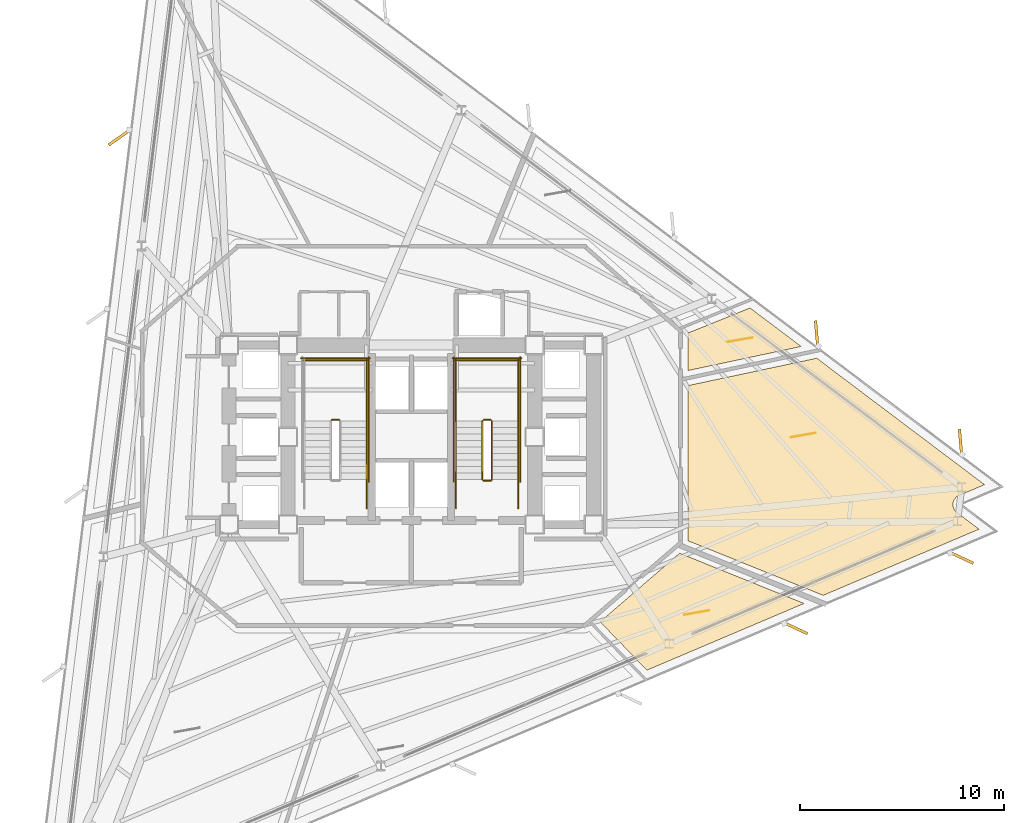
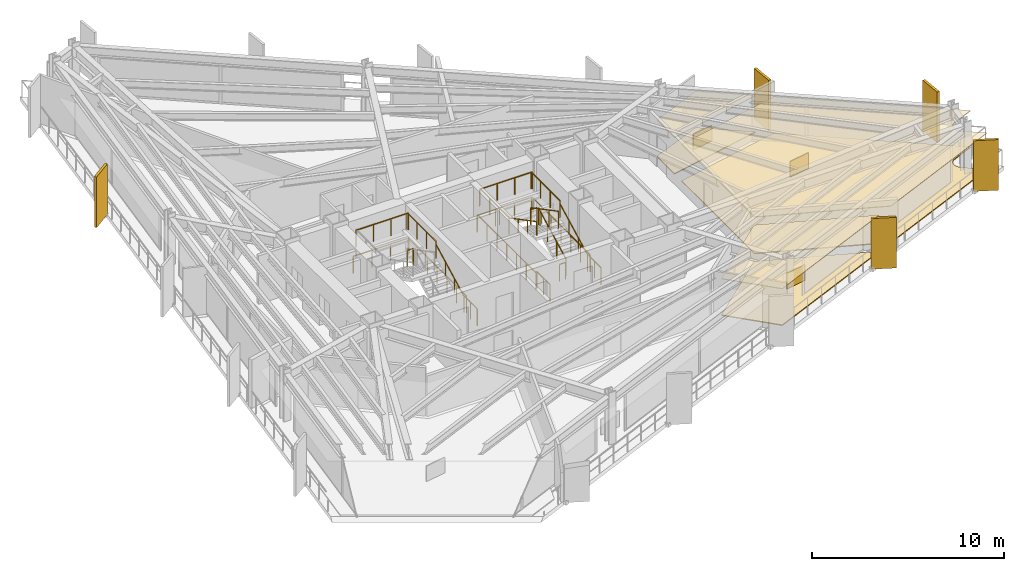
# One storey, part 12 of 13: 21 railings, 9 coverings, 5 shading devices.
"""IFC4 building model written with IfcOpenShell, lengths in metres."""

from ifc_helpers import new_model, si_unit, direction, frame, origin, origin_2d, place, context, subcontext, project, spatial, polyline, rectangle, outline, extrude, material, layer, layer_set, type_object, element, save


model = new_model("IFC4")

# Units and contexts
model_context = context("Model", 3, precision=1e-05, world=origin(), true_north=direction((0.0, 1.0)))
body_context = subcontext(model_context, "Body", "Model", "MODEL_VIEW")
ifc_project = project(units=[si_unit("LENGTHUNIT", "METRE"), si_unit("AREAUNIT", "SQUARE_METRE"), si_unit("VOLUMEUNIT", "CUBIC_METRE"), si_unit("PLANEANGLEUNIT", "RADIAN"), si_unit("MASSUNIT", "GRAM", prefix="KILO")], contexts=[model_context])

# Site, building, storey
site_placement = place(None, origin())
site = spatial("IfcSite", under=ifc_project, at=site_placement, CompositionType="ELEMENT")
building_placement = place(site_placement, origin())
building = spatial("IfcBuilding", under=site, at=building_placement, Name="Rocaltana Carrier Exchange", CompositionType="ELEMENT")
storey_placement = place(building_placement, frame((0.0, 0.0, 56.320068359375)))
storey = spatial("IfcBuildingStorey", under=building, at=storey_placement, Name="L17", CompositionType="ELEMENT", Elevation=56.320068359375)

# Coverings
ifc_material_1 = material(Name="Calcium Sulphate & Aluminium Pedestal", Category="aluminium")
ifc_layer_1 = layer(ifc_material_1, 0.06005859375)
ifc_layer_set_1 = layer_set([ifc_layer_1], Name="Calcium Sulphate & Aluminium Pedestal")
covering_type_1 = type_object("IfcCoveringType", Name="Anti-Static Raised Exchange Access Floor 60", PredefinedType="FLOORING", material=ifc_layer_set_1)
covering_1_placement = place(storey_placement, origin())
element("IfcCovering", 1, at=covering_1_placement, inside=storey, type_object=covering_type_1, Name="L17 Network Engineering Studio Finish Floor", PredefinedType="FLOORING", context=body_context, shape_type="SweptSolid", body=[
    extrude(outline(polyline([(11.553955078125, -11.4462890625), (9.259765625, -9.070556640625), (13.16357421875, -5.706787109375), (19.266357421875, -8.17236328125), (11.553955078125, -11.4462890625)])), origin(), (0.0, 0.0, 1.0), 0.059814453125),
])
covering_2_placement = place(storey_placement, origin())
element("IfcCovering", 2, at=covering_2_placement, inside=storey, type_object=covering_type_1, Name="L17 Peering Conference Room Finish Floor", PredefinedType="FLOORING", context=body_context, shape_type="SweptSolid", body=[
    extrude(outline(polyline([(13.56005859375, -5.09033203125), (13.56005859375, 2.51416015625), (19.8876953125, 3.859130859375), (28.1201171875, -2.344482421875), (26.860107421875, -2.87939453125), (26.847412109375, -2.885009765625), (26.82958984375, -2.893798828125), (26.80517578125, -2.906982421875), (26.7880859375, -2.91748046875), (26.76513671875, -2.933349609375), (26.749267578125, -2.9453125), (26.727783203125, -2.96337890625), (26.71337890625, -2.97705078125), (26.69384765625, -2.9970703125), (26.6806640625, -3.01220703125), (26.663330078125, -3.033935546875), (26.65185546875, -3.050048828125), (26.63671875, -3.073486328125), (26.626708984375, -3.0908203125), (26.614013671875, -3.11572265625), (26.60595703125, -3.134033203125), (26.595703125, -3.159912109375), (26.589599609375, -3.178955078125), (26.58203125, -3.205810546875), (26.57763671875, -3.225341796875), (26.57275390625, -3.252685546875), (26.5703125, -3.2724609375), (26.568359375, -3.30029296875), (26.56787109375, -3.3203125), (26.568603515625, -3.34814453125), (26.5703125, -3.3681640625), (26.57373046875, -3.395751953125), (26.577392578125, -3.415283203125), (26.58349609375, -3.442626953125), (26.589111328125, -3.4619140625), (26.597900390625, -3.48828125), (26.605224609375, -3.5068359375), (26.616943359375, -3.5322265625), (26.6259765625, -3.5498046875), (26.639892578125, -3.573974609375), (26.65087890625, -3.5908203125), (26.667236328125, -3.61328125), (26.6796875, -3.62890625), (26.6982421875, -3.64990234375), (26.712158203125, -3.6640625), (26.732666015625, -3.68310546875), (26.748046875, -3.69580078125), (26.7587890625, -3.70458984375), (27.851806640625, -4.528076171875), (20.20361328125, -7.7744140625), (13.56005859375, -5.09033203125)])), origin(), (0.0, 0.0, 1.0), 0.059814453125),
])
covering_3_placement = place(storey_placement, origin())
element("IfcCovering", 3, at=covering_3_placement, inside=storey, type_object=covering_type_1, Name="L17 Protocol Calibration Laboratory Finish Floor", PredefinedType="FLOORING", context=body_context, shape_type="SweptSolid", body=[
    extrude(outline(polyline([(13.56005859375, 5.09033203125), (16.615478515625, 6.32470703125), (19.125732421875, 4.433349609375), (13.56005859375, 3.250244140625), (13.56005859375, 5.09033203125)])), origin(), (0.0, 0.0, 1.0), 0.059814453125),
])
ifc_material_2 = material(Name="Mineral Fibre & Powder-Coated Aluminium", Category="aluminium")
ifc_layer_2 = layer(ifc_material_2, 0.044921875)
ifc_layer_set_2 = layer_set([ifc_layer_2], Name="Mineral Fibre & Powder-Coated Aluminium")
covering_type_2 = type_object("IfcCoveringType", Name="Micro-Perforated Acoustic Ceiling 45", PredefinedType="CEILING", material=ifc_layer_set_2)
covering_4_placement = place(storey_placement, frame((0.0, 0.0, 2.322998046875)))
element("IfcCovering", 4, at=covering_4_placement, inside=storey, type_object=covering_type_2, Name="L17 Network Engineering Studio Acoustic Ceiling", PredefinedType="CEILING", context=body_context, shape_type="SweptSolid", body=[
    extrude(outline(polyline([(11.553955078125, -11.4462890625), (9.259765625, -9.070556640625), (13.16357421875, -5.706787109375), (19.266357421875, -8.17236328125), (11.553955078125, -11.4462890625)])), origin(), (0.0, 0.0, 1.0), 0.044921875),
])
covering_5_placement = place(storey_placement, frame((0.0, 0.0, 2.322998046875)))
element("IfcCovering", 5, at=covering_5_placement, inside=storey, type_object=covering_type_2, Name="L17 Peering Conference Room Acoustic Ceiling", PredefinedType="CEILING", context=body_context, shape_type="SweptSolid", body=[
    extrude(outline(polyline([(13.56005859375, -5.09033203125), (13.56005859375, 2.51416015625), (19.8876953125, 3.859130859375), (28.1201171875, -2.344482421875), (26.860107421875, -2.87939453125), (26.847412109375, -2.885009765625), (26.82958984375, -2.893798828125), (26.80517578125, -2.906982421875), (26.7880859375, -2.91748046875), (26.76513671875, -2.933349609375), (26.749267578125, -2.9453125), (26.727783203125, -2.96337890625), (26.71337890625, -2.97705078125), (26.69384765625, -2.9970703125), (26.6806640625, -3.01220703125), (26.663330078125, -3.033935546875), (26.65185546875, -3.050048828125), (26.63671875, -3.073486328125), (26.626708984375, -3.0908203125), (26.614013671875, -3.11572265625), (26.60595703125, -3.134033203125), (26.595703125, -3.159912109375), (26.589599609375, -3.178955078125), (26.58203125, -3.205810546875), (26.57763671875, -3.225341796875), (26.57275390625, -3.252685546875), (26.5703125, -3.2724609375), (26.568359375, -3.30029296875), (26.56787109375, -3.3203125), (26.568603515625, -3.34814453125), (26.5703125, -3.3681640625), (26.57373046875, -3.395751953125), (26.577392578125, -3.415283203125), (26.58349609375, -3.442626953125), (26.589111328125, -3.4619140625), (26.597900390625, -3.48828125), (26.605224609375, -3.5068359375), (26.616943359375, -3.5322265625), (26.6259765625, -3.5498046875), (26.639892578125, -3.573974609375), (26.65087890625, -3.5908203125), (26.667236328125, -3.61328125), (26.6796875, -3.62890625), (26.6982421875, -3.64990234375), (26.712158203125, -3.6640625), (26.732666015625, -3.68310546875), (26.748046875, -3.69580078125), (26.7587890625, -3.70458984375), (27.851806640625, -4.528076171875), (20.20361328125, -7.7744140625), (13.56005859375, -5.09033203125)])), origin(), (0.0, 0.0, 1.0), 0.044921875),
])
covering_6_placement = place(storey_placement, frame((0.0, 0.0, 2.322998046875)))
element("IfcCovering", 6, at=covering_6_placement, inside=storey, type_object=covering_type_2, Name="L17 Protocol Calibration Laboratory Acoustic Ceiling", PredefinedType="CEILING", context=body_context, shape_type="SweptSolid", body=[
    extrude(outline(polyline([(13.56005859375, 5.09033203125), (16.615478515625, 6.32470703125), (19.125732421875, 4.433349609375), (13.56005859375, 3.250244140625), (13.56005859375, 5.09033203125)])), origin(), (0.0, 0.0, 1.0), 0.044921875),
])

# Railings
ifc_material_3 = material(Name="Brushed Architectural Stainless Tube", Category="steel")
ifc_layer_3 = layer(ifc_material_3, 0.048095703125)
ifc_layer_set_3 = layer_set([ifc_layer_3], Name="Brushed Architectural Stainless Tube")
railing_type_1 = type_object("IfcRailingType", Name="Stair Wall Handrail 920", PredefinedType="HANDRAIL", material=ifc_layer_set_3)
for number, where, name in (
    (7, (-2.18994140625, -2.10009765625, 0.16796875), "L17 ST-1 stair handrail 1"),
    (8, (5.25, -2.10009765625, 0.16796875), "L17 ST-2 stair handrail 1"),
):
    element("IfcRailing", number, at=place(storey_placement, frame(where)), inside=storey, type_object=railing_type_1, Name=name, PredefinedType="HANDRAIL", context=body_context, shape_type="SweptSolid", body=[
        extrude(rectangle(XDim=0.048095703125, YDim=0.048095703125, at=origin_2d()), frame((0.0, 0.0, 0.8759765625), z_axis=(0.0, 0.885411030485, 0.464808893091), x_axis=(-1.0, 0.0, 0.0)), (0.0, 0.0, 1.0), 3.2529296875),
        extrude(rectangle(XDim=0.0419921875, YDim=0.0419921875, at=origin_2d()), origin(), (0.0, 0.0, 1.0), 0.851806640625),
        extrude(rectangle(XDim=0.0419921875, YDim=0.0419921875, at=origin_2d()), frame((0.0, 0.9599609375, 0.50390625)), (0.0, 0.0, 1.0), 0.851806640625),
        extrude(rectangle(XDim=0.0419921875, YDim=0.0419921875, at=origin_2d()), frame((0.0, 1.920166015625, 1.008056640625)), (0.0, 0.0, 1.0), 0.851806640625),
        extrude(rectangle(XDim=0.0419921875, YDim=0.0419921875, at=origin_2d()), frame((0.0, 2.880126953125, 1.511962890625)), (0.0, 0.0, 1.0), 0.851806640625),
    ])
railing_1_placement = place(storey_placement, frame((2.18994140625, 0.780029296875, 1.847900390625)))
element("IfcRailing", 9, at=railing_1_placement, inside=storey, type_object=railing_type_1, Name="L17 ST-2 stair handrail 2", PredefinedType="HANDRAIL", context=body_context, shape_type="SweptSolid", body=[
    extrude(rectangle(XDim=0.048095703125, YDim=0.048095703125, at=origin_2d()), frame((0.0, 0.0, 0.8759765625), z_axis=(0.0, -0.885411030485, 0.464808893091), x_axis=(1.0, 0.0, 0.0)), (0.0, 0.0, 1.0), 3.2529296875),
    extrude(rectangle(XDim=0.0419921875, YDim=0.0419921875, at=origin_2d()), origin(), (0.0, 0.0, 1.0), 0.851806640625),
    extrude(rectangle(XDim=0.0419921875, YDim=0.0419921875, at=origin_2d()), frame((0.0, -0.9599609375, 0.50390625)), (0.0, 0.0, 1.0), 0.851806640625),
    extrude(rectangle(XDim=0.0419921875, YDim=0.0419921875, at=origin_2d()), frame((0.0, -1.920166015625, 1.008056640625)), (0.0, 0.0, 1.0), 0.851806640625),
    extrude(rectangle(XDim=0.0419921875, YDim=0.0419921875, at=origin_2d()), frame((0.0, -2.880126953125, 1.511962890625)), (0.0, 0.0, 1.0), 0.851806640625),
])
ifc_material_4 = material(Name="Powder-Coated Aluminium 6063-T6", Category="aluminium")
ifc_layer_4 = layer(ifc_material_4, 0.048095703125)
ifc_layer_set_4 = layer_set([ifc_layer_4], Name="Powder-Coated Aluminium 6063-T6")
railing_type_2 = type_object("IfcRailingType", Name="Stair Well Guardrail 1100", PredefinedType="GUARDRAIL", material=ifc_layer_set_4)
railing_2_placement = place(storey_placement, frame((-3.5400390625, 0.830078125, 1.679931640625)))
element("IfcRailing", 10, at=railing_2_placement, inside=storey, type_object=railing_type_2, Name="L17 ST-1 stair guard 2", PredefinedType="GUARDRAIL", context=body_context, shape_type="SweptSolid", body=[
    extrude(rectangle(XDim=0.048095703125, YDim=0.048095703125, at=origin_2d()), frame((0.0, 0.0, 1.076171875), z_axis=(-1.0, 0.0, 0.0), x_axis=(0.0, -1.0, 0.0)), (0.0, 0.0, 1.0), 0.35986328125),
    extrude(rectangle(XDim=0.0419921875, YDim=0.0419921875, at=origin_2d()), origin(), (0.0, 0.0, 1.0), 1.052001953125),
    extrude(rectangle(XDim=0.0419921875, YDim=0.0419921875, at=origin_2d()), frame((-0.35986328125, 0.0, 0.0)), (0.0, 0.0, 1.0), 1.052001953125),
])
railing_3_placement = place(storey_placement, frame((-2.18994140625, 0.780029296875, 1.679931640625)))
element("IfcRailing", 11, at=railing_3_placement, inside=storey, type_object=railing_type_2, Name="L17 ST-1 stair guard 3", PredefinedType="GUARDRAIL", context=body_context, shape_type="SweptSolid", body=[
    extrude(rectangle(XDim=0.048095703125, YDim=0.048095703125, at=origin_2d()), frame((0.0, 0.0, 1.076171875), z_axis=(0.0, 1.0, 0.0), x_axis=(-1.0, 0.0, 0.0)), (0.0, 0.0, 1.0), 3.02001953125),
    extrude(rectangle(XDim=0.0419921875, YDim=0.0419921875, at=origin_2d()), origin(), (0.0, 0.0, 1.0), 1.052001953125),
    extrude(rectangle(XDim=0.0419921875, YDim=0.0419921875, at=origin_2d()), frame((0.0, 1.006591796875, 0.0)), (0.0, 0.0, 1.0), 1.052001953125),
    extrude(rectangle(XDim=0.0419921875, YDim=0.0419921875, at=origin_2d()), frame((0.0, 2.013427734375, 0.0)), (0.0, 0.0, 1.0), 1.052001953125),
    extrude(rectangle(XDim=0.0419921875, YDim=0.0419921875, at=origin_2d()), frame((0.0, 3.02001953125, 0.0)), (0.0, 0.0, 1.0), 1.052001953125),
])
railing_4_placement = place(storey_placement, frame((-2.139892578125, 3.75, 1.679931640625)))
element("IfcRailing", 12, at=railing_4_placement, inside=storey, type_object=railing_type_2, Name="L17 ST-1 stair guard 5", PredefinedType="GUARDRAIL", context=body_context, shape_type="SweptSolid", body=[
    extrude(rectangle(XDim=0.048095703125, YDim=0.048095703125, at=origin_2d()), frame((0.0, 0.0, 1.076171875), z_axis=(-1.0, 0.0, 0.0), x_axis=(0.0, -1.0, 0.0)), (0.0, 0.0, 1.0), 3.16015625),
    extrude(rectangle(XDim=0.0419921875, YDim=0.0419921875, at=origin_2d()), origin(), (0.0, 0.0, 1.0), 1.052001953125),
    extrude(rectangle(XDim=0.0419921875, YDim=0.0419921875, at=origin_2d()), frame((-1.053466796875, 0.0, 0.0)), (0.0, 0.0, 1.0), 1.052001953125),
    extrude(rectangle(XDim=0.0419921875, YDim=0.0419921875, at=origin_2d()), frame((-2.106689453125, 0.0, 0.0)), (0.0, 0.0, 1.0), 1.052001953125),
    extrude(rectangle(XDim=0.0419921875, YDim=0.0419921875, at=origin_2d()), frame((-3.16015625, 0.0, 0.0)), (0.0, 0.0, 1.0), 1.052001953125),
])
railing_5_placement = place(storey_placement, frame((-2.18994140625, -3.5, 0.0)))
element("IfcRailing", 13, at=railing_5_placement, inside=storey, type_object=railing_type_2, Name="L17 ST-1 stair guard 8", PredefinedType="GUARDRAIL", context=body_context, shape_type="SweptSolid", body=[
    extrude(rectangle(XDim=0.048095703125, YDim=0.048095703125, at=origin_2d()), frame((0.0, 0.0, 1.076171875), z_axis=(0.0, 1.0, 0.0), x_axis=(-1.0, 0.0, 0.0)), (0.0, 0.0, 1.0), 1.39990234375),
    extrude(rectangle(XDim=0.0419921875, YDim=0.0419921875, at=origin_2d()), origin(), (0.0, 0.0, 1.0), 1.052001953125),
    extrude(rectangle(XDim=0.0419921875, YDim=0.0419921875, at=origin_2d()), frame((0.0, 0.699951171875, 0.0)), (0.0, 0.0, 1.0), 1.052001953125),
    extrude(rectangle(XDim=0.0419921875, YDim=0.0419921875, at=origin_2d()), frame((0.0, 1.39990234375, 0.0)), (0.0, 0.0, 1.0), 1.052001953125),
])
railing_6_placement = place(storey_placement, frame((-2.090087890625, -2.199951171875, 0.0)))
element("IfcRailing", 14, at=railing_6_placement, inside=storey, type_object=railing_type_2, Name="L17 ST-1 stair guard 10", PredefinedType="GUARDRAIL", context=body_context, shape_type="SweptSolid", body=[
    extrude(rectangle(XDim=0.048095703125, YDim=0.048095703125, at=origin_2d()), frame((0.0, 0.0, 1.076171875), z_axis=(0.0, 1.0, 0.0), x_axis=(-1.0, 0.0, 0.0)), (0.0, 0.0, 1.0), 6.099853515625),
    extrude(rectangle(XDim=0.0419921875, YDim=0.0419921875, at=origin_2d()), origin(), (0.0, 0.0, 1.0), 1.052001953125),
    extrude(rectangle(XDim=0.0419921875, YDim=0.0419921875, at=origin_2d()), frame((0.0, 1.0166015625, 0.0)), (0.0, 0.0, 1.0), 1.052001953125),
    extrude(rectangle(XDim=0.0419921875, YDim=0.0419921875, at=origin_2d()), frame((0.0, 2.033203125, 0.0)), (0.0, 0.0, 1.0), 1.052001953125),
    extrude(rectangle(XDim=0.0419921875, YDim=0.0419921875, at=origin_2d()), frame((0.0, 3.0498046875, 0.0)), (0.0, 0.0, 1.0), 1.052001953125),
    extrude(rectangle(XDim=0.0419921875, YDim=0.0419921875, at=origin_2d()), frame((0.0, 4.066650390625, 0.0)), (0.0, 0.0, 1.0), 1.052001953125),
    extrude(rectangle(XDim=0.0419921875, YDim=0.0419921875, at=origin_2d()), frame((0.0, 5.083251953125, 0.0)), (0.0, 0.0, 1.0), 1.052001953125),
    extrude(rectangle(XDim=0.0419921875, YDim=0.0419921875, at=origin_2d()), frame((0.0, 6.099853515625, 0.0)), (0.0, 0.0, 1.0), 1.052001953125),
])
railing_7_placement = place(storey_placement, frame((-2.0400390625, 3.85009765625, 0.0)))
element("IfcRailing", 15, at=railing_7_placement, inside=storey, type_object=railing_type_2, Name="L17 ST-1 stair guard 12", PredefinedType="GUARDRAIL", context=body_context, shape_type="SweptSolid", body=[
    extrude(rectangle(XDim=0.048095703125, YDim=0.048095703125, at=origin_2d()), frame((0.0, 0.0, 1.076171875), z_axis=(-1.0, 0.0, 0.0), x_axis=(0.0, -1.0, 0.0)), (0.0, 0.0, 1.0), 3.35986328125),
    extrude(rectangle(XDim=0.0419921875, YDim=0.0419921875, at=origin_2d()), origin(), (0.0, 0.0, 1.0), 1.052001953125),
    extrude(rectangle(XDim=0.0419921875, YDim=0.0419921875, at=origin_2d()), frame((-1.119873046875, 0.0, 0.0)), (0.0, 0.0, 1.0), 1.052001953125),
    extrude(rectangle(XDim=0.0419921875, YDim=0.0419921875, at=origin_2d()), frame((-2.239990234375, 0.0, 0.0)), (0.0, 0.0, 1.0), 1.052001953125),
    extrude(rectangle(XDim=0.0419921875, YDim=0.0419921875, at=origin_2d()), frame((-3.35986328125, 0.0, 0.0)), (0.0, 0.0, 1.0), 1.052001953125),
])
railing_8_placement = place(storey_placement, frame((3.949951171875, -2.10009765625, 0.16796875)))
element("IfcRailing", 16, at=railing_8_placement, inside=storey, type_object=railing_type_2, Name="L17 ST-2 stair guard 1", PredefinedType="GUARDRAIL", context=body_context, shape_type="SweptSolid", body=[
    extrude(rectangle(XDim=0.048095703125, YDim=0.048095703125, at=origin_2d()), frame((0.0, 0.0, 1.076171875), z_axis=(0.0, 0.885411030485, 0.464808893091), x_axis=(-1.0, 0.0, 0.0)), (0.0, 0.0, 1.0), 3.2529296875),
    extrude(rectangle(XDim=0.0419921875, YDim=0.0419921875, at=origin_2d()), origin(), (0.0, 0.0, 1.0), 1.052001953125),
    extrude(rectangle(XDim=0.0419921875, YDim=0.0419921875, at=origin_2d()), frame((0.0, 0.9599609375, 0.50390625)), (0.0, 0.0, 1.0), 1.052001953125),
    extrude(rectangle(XDim=0.0419921875, YDim=0.0419921875, at=origin_2d()), frame((0.0, 1.920166015625, 1.008056640625)), (0.0, 0.0, 1.0), 1.052001953125),
    extrude(rectangle(XDim=0.0419921875, YDim=0.0419921875, at=origin_2d()), frame((0.0, 2.880126953125, 1.511962890625)), (0.0, 0.0, 1.0), 1.052001953125),
])
railing_9_placement = place(storey_placement, frame((3.89990234375, 0.830078125, 1.679931640625)))
element("IfcRailing", 17, at=railing_9_placement, inside=storey, type_object=railing_type_2, Name="L17 ST-2 stair guard 2", PredefinedType="GUARDRAIL", context=body_context, shape_type="SweptSolid", body=[
    extrude(rectangle(XDim=0.048095703125, YDim=0.048095703125, at=origin_2d()), frame((0.0, 0.0, 1.076171875), z_axis=(-1.0, 0.0, 0.0), x_axis=(0.0, -1.0, 0.0)), (0.0, 0.0, 1.0), 0.35986328125),
    extrude(rectangle(XDim=0.0419921875, YDim=0.0419921875, at=origin_2d()), origin(), (0.0, 0.0, 1.0), 1.052001953125),
    extrude(rectangle(XDim=0.0419921875, YDim=0.0419921875, at=origin_2d()), frame((-0.35986328125, 0.0, 0.0)), (0.0, 0.0, 1.0), 1.052001953125),
])
for number, where, name in (
    (18, (5.25, 0.780029296875, 1.679931640625), "L17 ST-2 stair guard 3"),
    (19, (2.18994140625, 0.780029296875, 1.679931640625), "L17 ST-2 stair guard 4"),
):
    element("IfcRailing", number, at=place(storey_placement, frame(where)), inside=storey, type_object=railing_type_2, Name=name, PredefinedType="GUARDRAIL", context=body_context, shape_type="SweptSolid", body=[
        extrude(rectangle(XDim=0.048095703125, YDim=0.048095703125, at=origin_2d()), frame((0.0, 0.0, 1.076171875), z_axis=(0.0, 1.0, 0.0), x_axis=(-1.0, 0.0, 0.0)), (0.0, 0.0, 1.0), 3.02001953125),
        extrude(rectangle(XDim=0.0419921875, YDim=0.0419921875, at=origin_2d()), origin(), (0.0, 0.0, 1.0), 1.052001953125),
        extrude(rectangle(XDim=0.0419921875, YDim=0.0419921875, at=origin_2d()), frame((0.0, 1.006591796875, 0.0)), (0.0, 0.0, 1.0), 1.052001953125),
        extrude(rectangle(XDim=0.0419921875, YDim=0.0419921875, at=origin_2d()), frame((0.0, 2.013427734375, 0.0)), (0.0, 0.0, 1.0), 1.052001953125),
        extrude(rectangle(XDim=0.0419921875, YDim=0.0419921875, at=origin_2d()), frame((0.0, 3.02001953125, 0.0)), (0.0, 0.0, 1.0), 1.052001953125),
    ])
railing_10_placement = place(storey_placement, frame((5.300048828125, 3.75, 1.679931640625)))
element("IfcRailing", 20, at=railing_10_placement, inside=storey, type_object=railing_type_2, Name="L17 ST-2 stair guard 5", PredefinedType="GUARDRAIL", context=body_context, shape_type="SweptSolid", body=[
    extrude(rectangle(XDim=0.048095703125, YDim=0.048095703125, at=origin_2d()), frame((0.0, 0.0, 1.076171875), z_axis=(-1.0, 0.0, 0.0), x_axis=(0.0, -1.0, 0.0)), (0.0, 0.0, 1.0), 3.16015625),
    extrude(rectangle(XDim=0.0419921875, YDim=0.0419921875, at=origin_2d()), origin(), (0.0, 0.0, 1.0), 1.052001953125),
    extrude(rectangle(XDim=0.0419921875, YDim=0.0419921875, at=origin_2d()), frame((-1.053466796875, 0.0, 0.0)), (0.0, 0.0, 1.0), 1.052001953125),
    extrude(rectangle(XDim=0.0419921875, YDim=0.0419921875, at=origin_2d()), frame((-2.106689453125, 0.0, 0.0)), (0.0, 0.0, 1.0), 1.052001953125),
    extrude(rectangle(XDim=0.0419921875, YDim=0.0419921875, at=origin_2d()), frame((-3.16015625, 0.0, 0.0)), (0.0, 0.0, 1.0), 1.052001953125),
])
railing_11_placement = place(storey_placement, frame((3.489990234375, 0.780029296875, 1.847900390625)))
element("IfcRailing", 21, at=railing_11_placement, inside=storey, type_object=railing_type_2, Name="L17 ST-2 stair guard 6", PredefinedType="GUARDRAIL", context=body_context, shape_type="SweptSolid", body=[
    extrude(rectangle(XDim=0.048095703125, YDim=0.048095703125, at=origin_2d()), frame((0.0, 0.0, 1.076171875), z_axis=(0.0, -0.885411030485, 0.464808893091), x_axis=(1.0, 0.0, 0.0)), (0.0, 0.0, 1.0), 3.2529296875),
    extrude(rectangle(XDim=0.0419921875, YDim=0.0419921875, at=origin_2d()), origin(), (0.0, 0.0, 1.0), 1.052001953125),
    extrude(rectangle(XDim=0.0419921875, YDim=0.0419921875, at=origin_2d()), frame((0.0, -0.9599609375, 0.50390625)), (0.0, 0.0, 1.0), 1.052001953125),
    extrude(rectangle(XDim=0.0419921875, YDim=0.0419921875, at=origin_2d()), frame((0.0, -1.920166015625, 1.008056640625)), (0.0, 0.0, 1.0), 1.052001953125),
    extrude(rectangle(XDim=0.0419921875, YDim=0.0419921875, at=origin_2d()), frame((0.0, -2.880126953125, 1.511962890625)), (0.0, 0.0, 1.0), 1.052001953125),
])
railing_12_placement = place(storey_placement, frame((3.89990234375, -2.14990234375, 0.0)))
element("IfcRailing", 22, at=railing_12_placement, inside=storey, type_object=railing_type_2, Name="L17 ST-2 stair guard 7", PredefinedType="GUARDRAIL", context=body_context, shape_type="SweptSolid", body=[
    extrude(rectangle(XDim=0.048095703125, YDim=0.048095703125, at=origin_2d()), frame((0.0, 0.0, 1.076171875), z_axis=(-1.0, 0.0, 0.0), x_axis=(0.0, -1.0, 0.0)), (0.0, 0.0, 1.0), 0.35986328125),
    extrude(rectangle(XDim=0.0419921875, YDim=0.0419921875, at=origin_2d()), origin(), (0.0, 0.0, 1.0), 1.052001953125),
    extrude(rectangle(XDim=0.0419921875, YDim=0.0419921875, at=origin_2d()), frame((-0.35986328125, 0.0, 0.0)), (0.0, 0.0, 1.0), 1.052001953125),
])
for number, where, name in (
    (23, (5.25, -3.5, 0.0), "L17 ST-2 stair guard 8"),
    (24, (2.18994140625, -3.5, 0.0), "L17 ST-2 stair guard 9"),
):
    element("IfcRailing", number, at=place(storey_placement, frame(where)), inside=storey, type_object=railing_type_2, Name=name, PredefinedType="GUARDRAIL", context=body_context, shape_type="SweptSolid", body=[
        extrude(rectangle(XDim=0.048095703125, YDim=0.048095703125, at=origin_2d()), frame((0.0, 0.0, 1.076171875), z_axis=(0.0, 1.0, 0.0), x_axis=(-1.0, 0.0, 0.0)), (0.0, 0.0, 1.0), 1.39990234375),
        extrude(rectangle(XDim=0.0419921875, YDim=0.0419921875, at=origin_2d()), origin(), (0.0, 0.0, 1.0), 1.052001953125),
        extrude(rectangle(XDim=0.0419921875, YDim=0.0419921875, at=origin_2d()), frame((0.0, 0.699951171875, 0.0)), (0.0, 0.0, 1.0), 1.052001953125),
        extrude(rectangle(XDim=0.0419921875, YDim=0.0419921875, at=origin_2d()), frame((0.0, 1.39990234375, 0.0)), (0.0, 0.0, 1.0), 1.052001953125),
    ])
for number, where, name in (
    (25, (5.35009765625, -2.199951171875, 0.0), "L17 ST-2 stair guard 10"),
    (26, (2.090087890625, -2.199951171875, 0.0), "L17 ST-2 stair guard 11"),
):
    element("IfcRailing", number, at=place(storey_placement, frame(where)), inside=storey, type_object=railing_type_2, Name=name, PredefinedType="GUARDRAIL", context=body_context, shape_type="SweptSolid", body=[
        extrude(rectangle(XDim=0.048095703125, YDim=0.048095703125, at=origin_2d()), frame((0.0, 0.0, 1.076171875), z_axis=(0.0, 1.0, 0.0), x_axis=(-1.0, 0.0, 0.0)), (0.0, 0.0, 1.0), 6.099853515625),
        extrude(rectangle(XDim=0.0419921875, YDim=0.0419921875, at=origin_2d()), origin(), (0.0, 0.0, 1.0), 1.052001953125),
        extrude(rectangle(XDim=0.0419921875, YDim=0.0419921875, at=origin_2d()), frame((0.0, 1.0166015625, 0.0)), (0.0, 0.0, 1.0), 1.052001953125),
        extrude(rectangle(XDim=0.0419921875, YDim=0.0419921875, at=origin_2d()), frame((0.0, 2.033203125, 0.0)), (0.0, 0.0, 1.0), 1.052001953125),
        extrude(rectangle(XDim=0.0419921875, YDim=0.0419921875, at=origin_2d()), frame((0.0, 3.0498046875, 0.0)), (0.0, 0.0, 1.0), 1.052001953125),
        extrude(rectangle(XDim=0.0419921875, YDim=0.0419921875, at=origin_2d()), frame((0.0, 4.066650390625, 0.0)), (0.0, 0.0, 1.0), 1.052001953125),
        extrude(rectangle(XDim=0.0419921875, YDim=0.0419921875, at=origin_2d()), frame((0.0, 5.083251953125, 0.0)), (0.0, 0.0, 1.0), 1.052001953125),
        extrude(rectangle(XDim=0.0419921875, YDim=0.0419921875, at=origin_2d()), frame((0.0, 6.099853515625, 0.0)), (0.0, 0.0, 1.0), 1.052001953125),
    ])
railing_13_placement = place(storey_placement, frame((5.39990234375, 3.85009765625, 0.0)))
element("IfcRailing", 27, at=railing_13_placement, inside=storey, type_object=railing_type_2, Name="L17 ST-2 stair guard 12", PredefinedType="GUARDRAIL", context=body_context, shape_type="SweptSolid", body=[
    extrude(rectangle(XDim=0.048095703125, YDim=0.048095703125, at=origin_2d()), frame((0.0, 0.0, 1.076171875), z_axis=(-1.0, 0.0, 0.0), x_axis=(0.0, -1.0, 0.0)), (0.0, 0.0, 1.0), 3.35986328125),
    extrude(rectangle(XDim=0.0419921875, YDim=0.0419921875, at=origin_2d()), origin(), (0.0, 0.0, 1.0), 1.052001953125),
    extrude(rectangle(XDim=0.0419921875, YDim=0.0419921875, at=origin_2d()), frame((-1.119873046875, 0.0, 0.0)), (0.0, 0.0, 1.0), 1.052001953125),
    extrude(rectangle(XDim=0.0419921875, YDim=0.0419921875, at=origin_2d()), frame((-2.239990234375, 0.0, 0.0)), (0.0, 0.0, 1.0), 1.052001953125),
    extrude(rectangle(XDim=0.0419921875, YDim=0.0419921875, at=origin_2d()), frame((-3.35986328125, 0.0, 0.0)), (0.0, 0.0, 1.0), 1.052001953125),
])

# Coverings
ifc_material_5 = material(Name="Honed Piedra Muneca Sandstone", Category="masonry")
ifc_layer_5 = layer(ifc_material_5, 0.034912109375)
ifc_layer_set_5 = layer_set([ifc_layer_5], Name="Honed Piedra Muneca Sandstone")
covering_type_3 = type_object("IfcCoveringType", Name="Stone Facade Cladding 35", PredefinedType="CLADDING", material=ifc_layer_set_5)
for number, where, z_axis, x_axis, name in (
    (28, (13.99462890625, -8.62158203125, 0.0), (0.0, 0.0, 1.0), (0.984807753012, 0.173648177667, 0.0), "L17 Stone Facade Cladding Panel 3"),
    (29, (19.22802734375, 0.0849609375, 0.0), (0.0, 0.0, 1.0), (0.984807753012, 0.173648177667, 0.0), "L17 Stone Facade Cladding Panel 4"),
    (30, (16.125, 4.76171875, 0.0), (0.0, 0.0, 1.0), (0.984807753012, 0.173648177667, 0.0), "L17 Stone Facade Cladding Panel 5"),
):
    element("IfcCovering", number, at=place(storey_placement, frame(where, z_axis=z_axis, x_axis=x_axis)), inside=storey, type_object=covering_type_3, Name=name, PredefinedType="CLADDING", context=body_context, shape_type="SweptSolid", body=[
        extrude(rectangle(XDim=1.25, YDim=0.034912109375, at=origin_2d()), origin(), (0.0, 0.0, 1.0), 1.050048828125),
    ])

# Shading devices
ifc_material_6 = material(Name="Honed Bogota Sandstone & Concrete C45/55", Category="masonry")
ifc_layer_6 = layer(ifc_material_6, 0.139892578125)
ifc_layer_set_6 = layer_set([ifc_layer_6], Name="Honed Bogota Sandstone & Concrete C45/55")
shading_device_type = type_object("IfcShadingDeviceType", Name="Vertical Sandstone Shading Fin 1320x140", PredefinedType="USERDEFINED", material=ifc_layer_set_6)
for number, where, z_axis, x_axis, name in (
    (31, (26.9423828125, -0.279052734375, -0.1201171875), (0.0, 0.0, 1.0), (-0.087155742748, 0.996194698092, 0.0), "L17 Sandstone Vertical Fin F1-01"),
    (32, (19.882568359375, 5.041015625, -0.1201171875), (0.0, 0.0, 1.0), (-0.087155742748, 0.996194698092, 0.0), "L17 Sandstone Vertical Fin F1-02"),
    (33, (-14.306884765625, 14.6982421875, -0.1201171875), (0.0, 0.0, 1.0), (-0.819152044289, -0.573576436351, 0.0), "L17 Sandstone Vertical Fin F2-02"),
    (34, (18.836181640625, -9.376953125, -0.1201171875), (0.0, 0.0, 1.0), (0.906307787037, -0.422618261741, 0.0), "L17 Sandstone Vertical Fin F3-05"),
    (35, (26.973388671875, -5.923095703125, -0.1201171875), (0.0, 0.0, 1.0), (0.906307787037, -0.422618261741, 0.0), "L17 Sandstone Vertical Fin F3-06"),
):
    element("IfcShadingDevice", number, at=place(storey_placement, frame(where, z_axis=z_axis, x_axis=x_axis)), inside=storey, type_object=shading_device_type, Name=name, ObjectType="FIN", PredefinedType="USERDEFINED", context=body_context, shape_type="SweptSolid", body=[
        extrude(rectangle(XDim=1.320068359375, YDim=0.139892578125, at=origin_2d()), origin(), (0.0, 0.0, 1.0), 3.218017578125),
    ])

save(model, "model.ifc")
